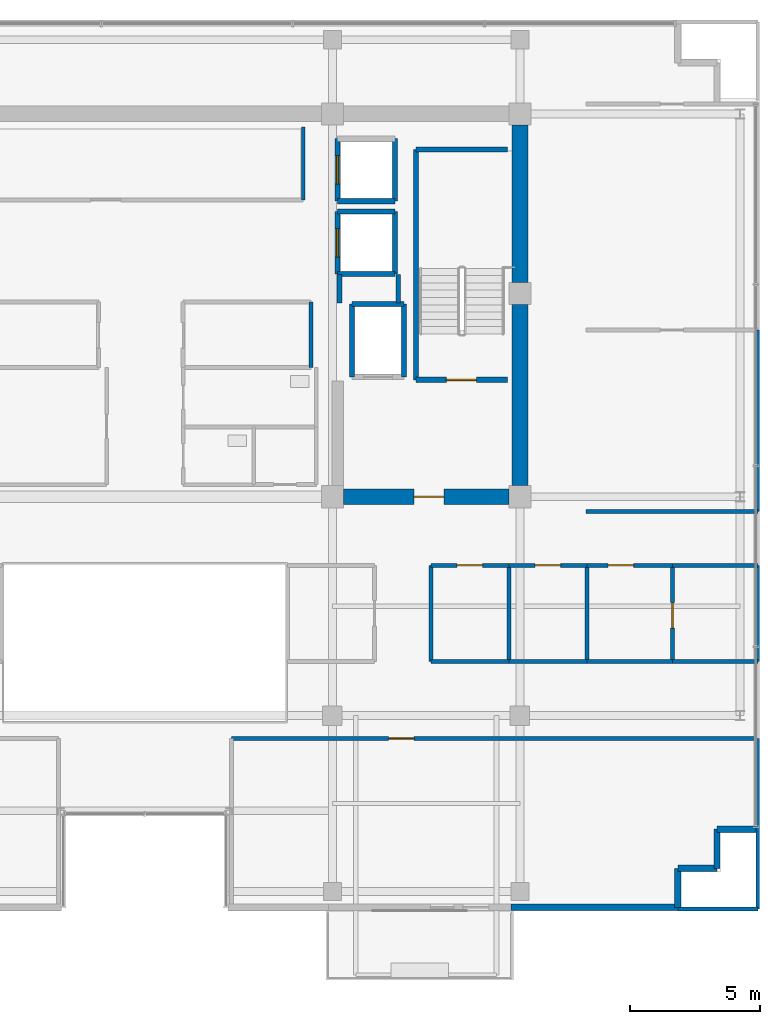
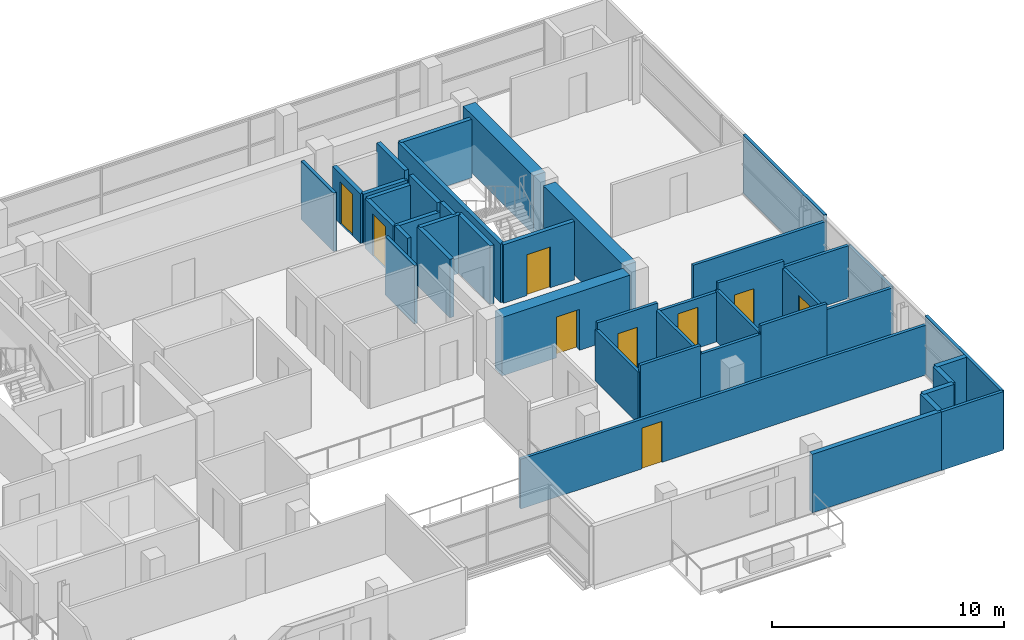
# One storey, part 17 of 21: 43 walls, 9 doors, 9 openings.
"""IFC4 building model written with IfcOpenShell, lengths in metres."""

from ifc_helpers import new_model, si_unit, direction, frame, frame_2d, origin, place, context, subcontext, project, spatial, rectangle, extrude, source, transform, mapped, material, layer, layer_set, type_object, element, fill, save


model = new_model("IFC4")

# Units and contexts
model_context = context("Model", 3, precision=1e-05, world=origin(), true_north=direction((0.0, 1.0)))
body_context = subcontext(model_context, "Body", "Model", "MODEL_VIEW")
ifc_project = project(units=[si_unit("LENGTHUNIT", "METRE"), si_unit("AREAUNIT", "SQUARE_METRE"), si_unit("VOLUMEUNIT", "CUBIC_METRE"), si_unit("PLANEANGLEUNIT", "RADIAN"), si_unit("MASSUNIT", "GRAM", prefix="KILO")], contexts=[model_context])

# Site, building, storey
site_placement = place(None, origin())
site = spatial("IfcSite", under=ifc_project, at=site_placement, CompositionType="ELEMENT")
building_placement = place(site_placement, origin())
building = spatial("IfcBuilding", under=site, at=building_placement, Name="Zarnakvel Exchange Tower", CompositionType="ELEMENT")
storey_placement = place(building_placement, frame((0.0, 0.0, 255.10009765625)))
storey = spatial("IfcBuildingStorey", under=building, at=storey_placement, Name="L72", CompositionType="ELEMENT", Elevation=255.10009765625)

# Walls
ifc_material_1 = material(Name="Concrete C50/60", Category="concrete")
ifc_layer_1 = layer(ifc_material_1, 0.60009765625)
ifc_layer_set_1 = layer_set([ifc_layer_1], Name="Concrete C50/60")
wall_type_1 = type_object("IfcWallType", Name="CW-C5", PredefinedType="SHEAR", material=ifc_layer_set_1)
wall_1_placement = place(storey_placement, frame((14.39990234375, -0.77490234375, 0.0), z_axis=(0.0, 0.0, 1.0), x_axis=(0.0, 1.0, 0.0)))
element("IfcWall", 1, at=wall_1_placement, inside=storey, type_object=wall_type_1, Name="L72 Rear Core Shear Wall E1 (CW-C5)", PredefinedType="SHEAR", context=body_context, shape_type="SweptSolid", body=[
    extrude(rectangle(XDim=6.949951171875, YDim=0.60009765625, at=frame_2d((3.47509765625, 0.0))), origin(), (0.0, 0.0, 1.0), 3.074951171875),
])
wall_2_placement = place(storey_placement, frame((14.39990234375, 7.02490234375, 0.0), z_axis=(0.0, 0.0, 1.0), x_axis=(0.0, 1.0, 0.0)))
element("IfcWall", 2, at=wall_2_placement, inside=storey, type_object=wall_type_1, Name="L72 Rear Core Shear Wall E2 (CW-C5)", PredefinedType="SHEAR", context=body_context, shape_type="SweptSolid", body=[
    extrude(rectangle(XDim=6.050048828125, YDim=0.60009765625, at=frame_2d((3.02490234375, 0.0))), origin(), (0.0, 0.0, 1.0), 3.074951171875),
])

# Wall, opening, door
wall_3_placement = place(storey_placement, frame((13.97509765625, -1.199951171875, 0.0), z_axis=(0.0, 0.0, 1.0), x_axis=(-1.0, 0.0, 0.0)))
wall_3 = element("IfcWall", 3, at=wall_3_placement, inside=storey, type_object=wall_type_1, Name="L72 Rear Core Shear Wall SE (CW-C5)", PredefinedType="SHEAR", context=body_context, shape_type="SweptSolid", body=[
    extrude(rectangle(XDim=6.35009765625, YDim=0.60009765625, at=frame_2d((3.175048828125, 0.0))), origin(), (0.0, 0.0, 1.0), 3.074951171875),
])
opening_1_placement = place(wall_3_placement, frame((2.5, 0.0, 0.0)))
opening_1 = element("IfcOpeningElement", 4, at=opening_1_placement, cuts=wall_3, Name="Opening D-L72-04", PredefinedType="OPENING", context=body_context, shape_type="SweptSolid", body=[
    extrude(rectangle(XDim=1.14990234375, YDim=2.14990234375, at=frame_2d((0.574951171875, 1.074951171875))), frame((0.0, 0.31005859375, 0.0), z_axis=(0.0, -1.0, 0.0), x_axis=(1.0, 0.0, 0.0)), (0.0, 0.0, 1.0), 0.6201171875),
])
ifc_material_2 = material(Name="Painted Galvanised Steel S355", Category="steel")
door_type_1 = type_object("IfcDoorType", Name="DT-04", OperationType="NOTDEFINED", PredefinedType="DOOR", material=ifc_material_2)
shared_shape_1 = source(origin(), body_context, "Body", "SweptSolid", [
    extrude(rectangle(XDim=1.14990234375, YDim=2.14990234375, at=frame_2d((0.574951171875, 1.074951171875))), frame((0.0, 0.02490234375, 0.0), z_axis=(0.0, -1.0, 0.0), x_axis=(1.0, 0.0, 0.0)), (0.0, 0.0, 1.0), 0.050048828125),
])
door_1_placement = place(opening_1_placement, origin())
door_1 = element("IfcDoor", 5, at=door_1_placement, inside=storey, type_object=door_type_1, Name="L72 Firefighting Lobby East Door D-L72-04", OperationType="SINGLE_SWING_LEFT", OverallHeight=2.14990234375, OverallWidth=1.14990234375, PredefinedType="DOOR", context=body_context, shape_type="MappedRepresentation", body=[
    mapped(shared_shape_1, transform((0.0, 0.0, 0.0), x_axis=(1.0, 0.0, 0.0), y_axis=(0.0, 1.0, 0.0), z_axis=(0.0, 0.0, 1.0), scale=1.0)),
])
fill(opening_1, door_1)

# Walls
ifc_material_3 = material(Name="Precast concrete C40/50", Category="concrete")
ifc_layer_2 = layer(ifc_material_3, 0.239990234375)
ifc_layer_set_2 = layer_set([ifc_layer_2], Name="Precast concrete C40/50")
wall_type_2 = type_object("IfcWallType", Name="EW-02", PredefinedType="SOLIDWALL", material=ifc_layer_set_2)
for number, where, z_axis, x_axis, name in (
    (6, (21.9599609375, -13.9599609375, 0.0), (0.0, 0.0, 1.0), (1.0, 0.0, 0.0), "L72 Exterior Precast Spandrel Wall EWC-L72-11 (EW-02)"),
    (7, (21.9599609375, -15.4599609375, 0.0), (0.0, 0.0, 1.0), (0.0, 1.0, 0.0), "L72 Exterior Precast Spandrel Wall EWC-L72-12 (EW-02)"),
    (8, (20.4599609375, -15.4599609375, 0.0), (0.0, 0.0, 1.0), (1.0, 0.0, 0.0), "L72 Exterior Precast Spandrel Wall EWC-L72-13 (EW-02)"),
    (9, (20.4599609375, -16.9599609375, 0.0), (0.0, 0.0, 1.0), (0.0, 1.0, 0.0), "L72 Exterior Precast Spandrel Wall EWC-L72-14 (EW-02)"),
):
    element("IfcWall", number, at=place(storey_placement, frame(where, z_axis=z_axis, x_axis=x_axis)), inside=storey, type_object=wall_type_2, Name=name, PredefinedType="SOLIDWALL", context=body_context, shape_type="SweptSolid", body=[
        extrude(rectangle(XDim=1.5, YDim=0.239990234375, at=frame_2d((0.75, 0.0))), origin(), (0.0, 0.0, 1.0), 3.074951171875),
    ])
wall_4_placement = place(storey_placement, frame((14.050048828125, -16.9599609375, 0.0), z_axis=(0.0, 0.0, 1.0), x_axis=(1.0, 0.0, 0.0)))
element("IfcWall", 10, at=wall_4_placement, inside=storey, type_object=wall_type_2, Name="L72 Exterior Precast Spandrel Wall EWC-L72-15 (EW-02)", PredefinedType="SOLIDWALL", context=body_context, shape_type="SweptSolid", body=[
    extrude(rectangle(XDim=6.409912109375, YDim=0.239990234375, at=frame_2d((3.205078125, 0.0))), origin(), (0.0, 0.0, 1.0), 3.074951171875),
])
ifc_material_4 = material(Name="Fire-Rated Gypsum Stud Partition", Category="gypsum")
ifc_layer_3 = layer(ifc_material_4, 0.14990234375)
ifc_layer_set_3 = layer_set([ifc_layer_3], Name="Fire-Rated Gypsum Stud Partition")
wall_type_3 = type_object("IfcWallType", Name="PT-01", PredefinedType="PARTITIONING", material=ifc_layer_set_3)
wall_5_placement = place(storey_placement, frame((6.080078125, 13.0, 0.0), z_axis=(0.0, 0.0, 1.0), x_axis=(0.0, -1.0, 0.0)))
element("IfcWall", 11, at=wall_5_placement, inside=storey, type_object=wall_type_3, Name="L72 Partition Wall PWALL-L72-013 (PT-01)", PredefinedType="PARTITIONING", context=body_context, shape_type="SweptSolid", body=[
    extrude(rectangle(XDim=2.800048828125, YDim=0.14990234375, at=frame_2d((1.39990234375, 0.0))), origin(), (0.0, 0.0, 1.0), 3.074951171875),
])
wall_6_placement = place(storey_placement, frame((6.3798828125, 6.280029296875, 0.0), z_axis=(0.0, 0.0, 1.0), x_axis=(0.0, -1.0, 0.0)))
element("IfcWall", 12, at=wall_6_placement, inside=storey, type_object=wall_type_3, Name="L72 Partition Wall PWALL-L72-021 (PT-01)", PredefinedType="PARTITIONING", context=body_context, shape_type="SweptSolid", body=[
    extrude(rectangle(XDim=2.52001953125, YDim=0.14990234375, at=frame_2d((1.260009765625, 0.0))), origin(), (0.0, 0.0, 1.0), 3.074951171875),
])
wall_7_placement = place(storey_placement, frame((13.9755859375, -7.52001953125, 0.0), z_axis=(0.0, 0.0, 1.0), x_axis=(-1.0, 0.0, 0.0)))
element("IfcWall", 13, at=wall_7_placement, inside=storey, type_object=wall_type_3, Name="L72 Partition Wall PWALL-L72-044 (PT-01)", PredefinedType="PARTITIONING", context=body_context, shape_type="SweptSolid", body=[
    extrude(rectangle(XDim=2.99560546875, YDim=0.14990234375, at=frame_2d((1.497802734375, 0.0))), origin(), (0.0, 0.0, 1.0), 3.074951171875),
])

# Wall, opening, door
wall_8_placement = place(storey_placement, frame((10.97998046875, -3.830078125, 0.0), z_axis=(0.0, 0.0, 1.0), x_axis=(1.0, 0.0, 0.0)))
wall_8 = element("IfcWall", 14, at=wall_8_placement, inside=storey, type_object=wall_type_3, Name="L72 Partition Wall PWALL-L72-045 (PT-01)", PredefinedType="PARTITIONING", context=body_context, shape_type="SweptSolid", body=[
    extrude(rectangle(XDim=2.99560546875, YDim=0.14990234375, at=frame_2d((1.497802734375, 0.0))), origin(), (0.0, 0.0, 1.0), 3.074951171875),
])
opening_2_placement = place(wall_8_placement, frame((1.008056640625, 0.0, 0.0)))
opening_2 = element("IfcOpeningElement", 15, at=opening_2_placement, cuts=wall_8, Name="Opening D-L72-15", PredefinedType="OPENING", context=body_context, shape_type="SweptSolid", body=[
    extrude(rectangle(XDim=0.97998046875, YDim=2.14990234375, at=frame_2d((0.489990234375, 1.074951171875))), frame((0.0, 0.0849609375, 0.0), z_axis=(0.0, -1.0, 0.0), x_axis=(1.0, 0.0, 0.0)), (0.0, 0.0, 1.0), 0.169921875),
])
ifc_material_5 = material(Name="Timber Acoustic Veneer", Category="wood")
door_type_2 = type_object("IfcDoorType", Name="DT-05", OperationType="NOTDEFINED", PredefinedType="DOOR", material=ifc_material_5)
shared_shape_2 = source(origin(), body_context, "Body", "SweptSolid", [
    extrude(rectangle(XDim=0.97998046875, YDim=2.14990234375, at=frame_2d((0.489990234375, 1.074951171875))), frame((0.0, 0.02490234375, 0.0), z_axis=(0.0, -1.0, 0.0), x_axis=(1.0, 0.0, 0.0)), (0.0, 0.0, 1.0), 0.050048828125),
])
door_2_placement = place(opening_2_placement, origin())
door_2 = element("IfcDoor", 16, at=door_2_placement, inside=storey, type_object=door_type_2, Name="L72 Boardroom Door D-L72-15", OperationType="SINGLE_SWING_RIGHT", OverallHeight=2.14990234375, OverallWidth=0.97998046875, PredefinedType="DOOR", context=body_context, shape_type="MappedRepresentation", body=[
    mapped(shared_shape_2, transform((0.0, 0.0, 0.0), x_axis=(1.0, 0.0, 0.0), y_axis=(0.0, 1.0, 0.0), z_axis=(0.0, 0.0, 1.0), scale=1.0)),
])
fill(opening_2, door_2)

# Walls
for number, where, z_axis, x_axis, name in (
    (17, (10.97998046875, -7.52001953125, 0.0), (0.0, 0.0, 1.0), (0.0, 1.0, 0.0), "L72 Partition Wall PWALL-L72-046 (PT-01)"),
    (18, (13.9755859375, -3.830078125, 0.0), (0.0, 0.0, 1.0), (0.0, -1.0, 0.0), "L72 Partition Wall PWALL-L72-047 (PT-01)"),
):
    element("IfcWall", number, at=place(storey_placement, frame(where, z_axis=z_axis, x_axis=x_axis)), inside=storey, type_object=wall_type_3, Name=name, PredefinedType="PARTITIONING", context=body_context, shape_type="SweptSolid", body=[
        extrude(rectangle(XDim=3.68994140625, YDim=0.14990234375, at=frame_2d((1.844970703125, 0.0))), origin(), (0.0, 0.0, 1.0), 2.704833984375),
    ])
wall_9_placement = place(storey_placement, frame((16.971435546875, -7.52001953125, 0.0), z_axis=(0.0, 0.0, 1.0), x_axis=(-1.0, 0.0, 0.0)))
element("IfcWall", 19, at=wall_9_placement, inside=storey, type_object=wall_type_3, Name="L72 Partition Wall PWALL-L72-048 (PT-01)", PredefinedType="PARTITIONING", context=body_context, shape_type="SweptSolid", body=[
    extrude(rectangle(XDim=2.995849609375, YDim=0.14990234375, at=frame_2d((1.498046875, 0.0))), origin(), (0.0, 0.0, 1.0), 2.614990234375),
])

# Wall, opening, door
wall_10_placement = place(storey_placement, frame((13.9755859375, -3.830078125, 0.0), z_axis=(0.0, 0.0, 1.0), x_axis=(1.0, 0.0, 0.0)))
wall_10 = element("IfcWall", 20, at=wall_10_placement, inside=storey, type_object=wall_type_3, Name="L72 Partition Wall PWALL-L72-049 (PT-01)", PredefinedType="PARTITIONING", context=body_context, shape_type="SweptSolid", body=[
    extrude(rectangle(XDim=2.995849609375, YDim=0.14990234375, at=frame_2d((1.498046875, 0.0))), origin(), (0.0, 0.0, 1.0), 2.614990234375),
])
opening_3_placement = place(wall_10_placement, frame((1.00830078125, 0.0, 0.0)))
opening_3 = element("IfcOpeningElement", 21, at=opening_3_placement, cuts=wall_10, Name="Opening D-L72-16", PredefinedType="OPENING", context=body_context, shape_type="SweptSolid", body=[
    extrude(rectangle(XDim=0.97998046875, YDim=2.14990234375, at=frame_2d((0.489990234375, 1.074951171875))), frame((0.0, 0.0849609375, 0.0), z_axis=(0.0, -1.0, 0.0), x_axis=(1.0, 0.0, 0.0)), (0.0, 0.0, 1.0), 0.169921875),
])
door_3_placement = place(opening_3_placement, origin())
door_3 = element("IfcDoor", 22, at=door_3_placement, inside=storey, type_object=door_type_2, Name="L72 Conference Room Door D-L72-16", OperationType="SINGLE_SWING_LEFT", OverallHeight=2.14990234375, OverallWidth=0.97998046875, PredefinedType="DOOR", context=body_context, shape_type="MappedRepresentation", body=[
    mapped(shared_shape_2, transform((0.0, 0.0, 0.0), x_axis=(1.0, 0.0, 0.0), y_axis=(0.0, 1.0, 0.0), z_axis=(0.0, 0.0, 1.0), scale=1.0)),
])
fill(opening_3, door_3)

# Walls
wall_11_placement = place(storey_placement, frame((16.971435546875, -3.830078125, 0.0), z_axis=(0.0, 0.0, 1.0), x_axis=(0.0, -1.0, 0.0)))
element("IfcWall", 23, at=wall_11_placement, inside=storey, type_object=wall_type_3, Name="L72 Partition Wall PWALL-L72-050 (PT-01)", PredefinedType="PARTITIONING", context=body_context, shape_type="SweptSolid", body=[
    extrude(rectangle(XDim=3.68994140625, YDim=0.14990234375, at=frame_2d((1.844970703125, 0.0))), origin(), (0.0, 0.0, 1.0), 2.704833984375),
])
wall_12_placement = place(storey_placement, frame((20.250732421875, -7.52001953125, 0.0), z_axis=(0.0, 0.0, 1.0), x_axis=(-1.0, 0.0, 0.0)))
element("IfcWall", 24, at=wall_12_placement, inside=storey, type_object=wall_type_3, Name="L72 Partition Wall PWALL-L72-051 (PT-01)", PredefinedType="PARTITIONING", context=body_context, shape_type="SweptSolid", body=[
    extrude(rectangle(XDim=3.279296875, YDim=0.14990234375, at=frame_2d((1.6396484375, 0.0))), origin(), (0.0, 0.0, 1.0), 3.074951171875),
])

# Wall, opening, door
wall_13_placement = place(storey_placement, frame((16.971435546875, -3.830078125, 0.0), z_axis=(0.0, 0.0, 1.0), x_axis=(1.0, 0.0, 0.0)))
wall_13 = element("IfcWall", 25, at=wall_13_placement, inside=storey, type_object=wall_type_3, Name="L72 Partition Wall PWALL-L72-052 (PT-01)", PredefinedType="PARTITIONING", context=body_context, shape_type="SweptSolid", body=[
    extrude(rectangle(XDim=3.279296875, YDim=0.14990234375, at=frame_2d((1.6396484375, 0.0))), origin(), (0.0, 0.0, 1.0), 3.074951171875),
])
opening_4_placement = place(wall_13_placement, frame((0.814697265625, 0.0, 0.0)))
opening_4 = element("IfcOpeningElement", 26, at=opening_4_placement, cuts=wall_13, Name="Opening D-L72-17", PredefinedType="OPENING", context=body_context, shape_type="SweptSolid", body=[
    extrude(rectangle(XDim=0.97998046875, YDim=2.14990234375, at=frame_2d((0.489990234375, 1.074951171875))), frame((0.0, 0.0849609375, 0.0), z_axis=(0.0, -1.0, 0.0), x_axis=(1.0, 0.0, 0.0)), (0.0, 0.0, 1.0), 0.169921875),
])
door_4_placement = place(opening_4_placement, origin())
door_4 = element("IfcDoor", 27, at=door_4_placement, inside=storey, type_object=door_type_2, Name="L72 Executive Pantry Door D-L72-17", OperationType="SINGLE_SWING_RIGHT", OverallHeight=2.14990234375, OverallWidth=0.97998046875, PredefinedType="DOOR", context=body_context, shape_type="MappedRepresentation", body=[
    mapped(shared_shape_2, transform((0.0, 0.0, 0.0), x_axis=(1.0, 0.0, 0.0), y_axis=(0.0, 1.0, 0.0), z_axis=(0.0, 0.0, 1.0), scale=1.0)),
])
fill(opening_4, door_4)

wall_14_placement = place(storey_placement, frame((20.250732421875, -3.830078125, 0.0), z_axis=(0.0, 0.0, 1.0), x_axis=(0.0, -1.0, 0.0)))
wall_14 = element("IfcWall", 28, at=wall_14_placement, inside=storey, type_object=wall_type_3, Name="L72 Partition Wall PWALL-L72-053 (PT-01)", PredefinedType="PARTITIONING", context=body_context, shape_type="SweptSolid", body=[
    extrude(rectangle(XDim=3.68994140625, YDim=0.14990234375, at=frame_2d((1.844970703125, 0.0))), origin(), (0.0, 0.0, 1.0), 2.704833984375),
])
opening_5_placement = place(wall_14_placement, frame((1.43505859375, 0.0, 0.0)))
opening_5 = element("IfcOpeningElement", 29, at=opening_5_placement, cuts=wall_14, Name="Opening D-L72-18", PredefinedType="OPENING", context=body_context, shape_type="SweptSolid", body=[
    extrude(rectangle(XDim=0.97998046875, YDim=2.14990234375, at=frame_2d((0.489990234375, 1.074951171875))), frame((0.0, 0.0849609375, 0.0), z_axis=(0.0, -1.0, 0.0), x_axis=(1.0, 0.0, 0.0)), (0.0, 0.0, 1.0), 0.169921875),
])
door_5_placement = place(opening_5_placement, origin())
door_5 = element("IfcDoor", 30, at=door_5_placement, inside=storey, type_object=door_type_2, Name="L72 Legal Records Office Door D-L72-18", OperationType="SINGLE_SWING_LEFT", OverallHeight=2.14990234375, OverallWidth=0.97998046875, PredefinedType="DOOR", context=body_context, shape_type="MappedRepresentation", body=[
    mapped(shared_shape_2, transform((0.0, 0.0, 0.0), x_axis=(1.0, 0.0, 0.0), y_axis=(0.0, 1.0, 0.0), z_axis=(0.0, 0.0, 1.0), scale=1.0)),
])
fill(opening_5, door_5)

# Walls
for number, where, z_axis, x_axis, name in (
    (31, (23.530029296875, -7.52001953125, 0.0), (0.0, 0.0, 1.0), (-1.0, 0.0, 0.0), "L72 Partition Wall PWALL-L72-054 (PT-01)"),
    (32, (20.250732421875, -3.830078125, 0.0), (0.0, 0.0, 1.0), (1.0, 0.0, 0.0), "L72 Partition Wall PWALL-L72-055 (PT-01)"),
):
    element("IfcWall", number, at=place(storey_placement, frame(where, z_axis=z_axis, x_axis=x_axis)), inside=storey, type_object=wall_type_3, Name=name, PredefinedType="PARTITIONING", context=body_context, shape_type="SweptSolid", body=[
        extrude(rectangle(XDim=3.279296875, YDim=0.14990234375, at=frame_2d((1.6396484375, 0.0))), origin(), (0.0, 0.0, 1.0), 2.764892578125),
    ])
wall_15_placement = place(storey_placement, frame((23.530029296875, -3.830078125, 0.0), z_axis=(0.0, 0.0, 1.0), x_axis=(0.0, -1.0, 0.0)))
element("IfcWall", 33, at=wall_15_placement, inside=storey, type_object=wall_type_3, Name="L72 Partition Wall PWALL-L72-056 (PT-01)", PredefinedType="PARTITIONING", context=body_context, shape_type="SweptSolid", body=[
    extrude(rectangle(XDim=3.68994140625, YDim=0.14990234375, at=frame_2d((1.844970703125, 0.0))), origin(), (0.0, 0.0, 1.0), 2.764892578125),
])
wall_16_placement = place(storey_placement, frame((23.530029296875, -17.030029296875, 0.0), z_axis=(0.0, 0.0, 1.0), x_axis=(-1.0, 0.0, 0.0)))
element("IfcWall", 34, at=wall_16_placement, inside=storey, type_object=wall_type_3, Name="L72 Partition Wall PWALL-L72-057 (PT-01)", PredefinedType="PARTITIONING", context=body_context, shape_type="SweptSolid", body=[
    extrude(rectangle(XDim=3.070068359375, YDim=0.14990234375, at=frame_2d((1.53515625, 0.0))), origin(), (0.0, 0.0, 1.0), 3.074951171875),
])

# Wall, opening, door
wall_17_placement = place(storey_placement, frame((3.320068359375, -10.47998046875, 0.0), z_axis=(0.0, 0.0, 1.0), x_axis=(1.0, 0.0, 0.0)))
wall_17 = element("IfcWall", 35, at=wall_17_placement, inside=storey, type_object=wall_type_3, Name="L72 Partition Wall PWALL-L72-058 (PT-01)", PredefinedType="PARTITIONING", context=body_context, shape_type="SweptSolid", body=[
    extrude(rectangle(XDim=20.2099609375, YDim=0.14990234375, at=frame_2d((10.10498046875, 0.0))), origin(), (0.0, 0.0, 1.0), 2.614990234375),
])
opening_6_placement = place(wall_17_placement, frame((6.0400390625, 0.0, 0.0)))
opening_6 = element("IfcOpeningElement", 36, at=opening_6_placement, cuts=wall_17, Name="Opening D-L72-19", PredefinedType="OPENING", context=body_context, shape_type="SweptSolid", body=[
    extrude(rectangle(XDim=0.97998046875, YDim=2.14990234375, at=frame_2d((0.489990234375, 1.074951171875))), frame((0.0, 0.0849609375, 0.0), z_axis=(0.0, -1.0, 0.0), x_axis=(1.0, 0.0, 0.0)), (0.0, 0.0, 1.0), 0.169921875),
])
door_6_placement = place(opening_6_placement, origin())
door_6 = element("IfcDoor", 37, at=door_6_placement, inside=storey, type_object=door_type_2, Name="L72 Corporate Advisory Suite Door D-L72-19", OperationType="SINGLE_SWING_RIGHT", OverallHeight=2.14990234375, OverallWidth=0.97998046875, PredefinedType="DOOR", context=body_context, shape_type="MappedRepresentation", body=[
    mapped(shared_shape_2, transform((0.0, 0.0, 0.0), x_axis=(1.0, 0.0, 0.0), y_axis=(0.0, 1.0, 0.0), z_axis=(0.0, 0.0, 1.0), scale=1.0)),
])
fill(opening_6, door_6)

# Walls
wall_18_placement = place(storey_placement, frame((23.530029296875, -10.47998046875, 0.0), z_axis=(0.0, 0.0, 1.0), x_axis=(0.0, -1.0, 0.0)))
element("IfcWall", 38, at=wall_18_placement, inside=storey, type_object=wall_type_3, Name="L72 Partition Wall PWALL-L72-060 (PT-01)", PredefinedType="PARTITIONING", context=body_context, shape_type="SweptSolid", body=[
    extrude(rectangle(XDim=6.550048828125, YDim=0.14990234375, at=frame_2d((3.27490234375, 0.0))), origin(), (0.0, 0.0, 1.0), 3.074951171875),
])
wall_19_placement = place(storey_placement, frame((23.530029296875, -1.77001953125, 0.0), z_axis=(0.0, 0.0, 1.0), x_axis=(-1.0, 0.0, 0.0)))
element("IfcWall", 39, at=wall_19_placement, inside=storey, type_object=wall_type_3, Name="L72 Partition Wall PWALL-L72-071 (PT-01)", PredefinedType="PARTITIONING", context=body_context, shape_type="SweptSolid", body=[
    extrude(rectangle(XDim=6.60009765625, YDim=0.14990234375, at=frame_2d((3.300048828125, 0.0))), origin(), (0.0, 0.0, 1.0), 2.764892578125),
])
wall_20_placement = place(storey_placement, frame((23.530029296875, 5.203369140625, 0.0), z_axis=(0.0, 0.0, 1.0), x_axis=(0.0, -1.0, 0.0)))
element("IfcWall", 40, at=wall_20_placement, inside=storey, type_object=wall_type_3, Name="L72 Partition Wall PWALL-L72-073 (PT-01)", PredefinedType="PARTITIONING", context=body_context, shape_type="SweptSolid", body=[
    extrude(rectangle(XDim=6.973388671875, YDim=0.14990234375, at=frame_2d((3.48681640625, 0.0))), origin(), (0.0, 0.0, 1.0), 3.074951171875),
])
ifc_layer_4 = layer(ifc_material_4, 0.179931640625)
ifc_layer_set_4 = layer_set([ifc_layer_4], Name="Fire-Rated Gypsum Stud Partition")
wall_type_4 = type_object("IfcWallType", Name="PT-02", PredefinedType="PARTITIONING", material=ifc_layer_set_4)
wall_21_placement = place(storey_placement, frame((7.469970703125, 6.239990234375, 0.0), z_axis=(0.0, 0.0, 1.0), x_axis=(0.0, 1.0, 0.0)))
element("IfcWall", 41, at=wall_21_placement, inside=storey, type_object=wall_type_4, Name="L72 Partition Wall PWALL-L72-009 (PT-02)", PredefinedType="PARTITIONING", context=body_context, shape_type="SweptSolid", body=[
    extrude(rectangle(XDim=1.090087890625, YDim=0.179931640625, at=frame_2d((0.544921875, 0.0))), origin(), (0.0, 0.0, 1.0), 2.614990234375),
])
wall_22_placement = place(storey_placement, frame((9.72998046875, 7.330078125, 0.0), z_axis=(0.0, 0.0, 1.0), x_axis=(0.0, -1.0, 0.0)))
element("IfcWall", 42, at=wall_22_placement, inside=storey, type_object=wall_type_4, Name="L72 Partition Wall PWALL-L72-010 (PT-02)", PredefinedType="PARTITIONING", context=body_context, shape_type="SweptSolid", body=[
    extrude(rectangle(XDim=1.090087890625, YDim=0.179931640625, at=frame_2d((0.544921875, 0.0))), origin(), (0.0, 0.0, 1.0), 3.074951171875),
])
ifc_material_6 = material(Name="Concrete C40/50", Category="concrete")
ifc_layer_5 = layer(ifc_material_6, 0.199951171875)
ifc_layer_set_5 = layer_set([ifc_layer_5], Name="Concrete C40/50")
wall_type_5 = type_object("IfcWallType", Name="SW-01", PredefinedType="SOLIDWALL", material=ifc_layer_set_5)
wall_23_placement = place(storey_placement, frame((7.949951171875, 6.199951171875, 0.0), z_axis=(0.0, 0.0, 1.0), x_axis=(1.0, 0.0, 0.0)))
element("IfcWall", 43, at=wall_23_placement, inside=storey, type_object=wall_type_5, Name="L72 FL-02 Hoistway Wall North", PredefinedType="SOLIDWALL", context=body_context, shape_type="SweptSolid", body=[
    extrude(rectangle(XDim=2.0, YDim=0.199951171875, at=frame_2d((1.0, 0.0))), origin(), (0.0, 0.0, 1.0), 3.074951171875),
])
for number, where, z_axis, x_axis, name in (
    (44, (7.949951171875, 3.39990234375, 0.0), (0.0, 0.0, 1.0), (0.0, 1.0, 0.0), "L72 FL-02 Hoistway Wall West"),
    (45, (9.949951171875, 6.199951171875, 0.0), (0.0, 0.0, 1.0), (0.0, -1.0, 0.0), "L72 FL-02 Hoistway Wall East"),
):
    element("IfcWall", number, at=place(storey_placement, frame(where, z_axis=z_axis, x_axis=x_axis)), inside=storey, type_object=wall_type_5, Name=name, PredefinedType="SOLIDWALL", context=body_context, shape_type="SweptSolid", body=[
        extrude(rectangle(XDim=2.800048828125, YDim=0.199951171875, at=frame_2d((1.39990234375, 0.0))), origin(), (0.0, 0.0, 1.0), 3.074951171875),
    ])
for number, where, z_axis, x_axis, name in (
    (46, (9.60009765625, 7.35009765625, 0.0), (0.0, 0.0, 1.0), (-1.0, 0.0, 0.0), "L72 PL-11 Hoistway Wall South"),
    (47, (7.39990234375, 9.75, 0.0), (0.0, 0.0, 1.0), (1.0, 0.0, 0.0), "L72 PL-11 Hoistway Wall North"),
):
    element("IfcWall", number, at=place(storey_placement, frame(where, z_axis=z_axis, x_axis=x_axis)), inside=storey, type_object=wall_type_5, Name=name, PredefinedType="SOLIDWALL", context=body_context, shape_type="SweptSolid", body=[
        extrude(rectangle(XDim=2.2001953125, YDim=0.199951171875, at=frame_2d((1.10009765625, 0.0))), origin(), (0.0, 0.0, 1.0), 2.614990234375),
    ])

# Wall, opening, door
wall_24_placement = place(storey_placement, frame((7.39990234375, 7.35009765625, 0.0), z_axis=(0.0, 0.0, 1.0), x_axis=(0.0, 1.0, 0.0)))
wall_24 = element("IfcWall", 48, at=wall_24_placement, inside=storey, type_object=wall_type_5, Name="L72 PL-11 Hoistway Wall West", PredefinedType="SOLIDWALL", context=body_context, shape_type="SweptSolid", body=[
    extrude(rectangle(XDim=2.39990234375, YDim=0.199951171875, at=frame_2d((1.199951171875, 0.0))), origin(), (0.0, 0.0, 1.0), 2.614990234375),
])
opening_7_placement = place(wall_24_placement, frame((0.64990234375, 0.0, 0.0)))
opening_7 = element("IfcOpeningElement", 49, at=opening_7_placement, cuts=wall_24, Name="Opening LD-PL-11-L72", PredefinedType="OPENING", context=body_context, shape_type="SweptSolid", body=[
    extrude(rectangle(XDim=1.10009765625, YDim=2.199951171875, at=frame_2d((0.550048828125, 1.10009765625))), frame((0.0, 0.10986328125, 0.0), z_axis=(0.0, -1.0, 0.0), x_axis=(1.0, 0.0, 0.0)), (0.0, 0.0, 1.0), 0.219970703125),
])
ifc_material_7 = material(Name="Architectural Bronze Anodised Aluminium", Category="aluminium")
door_type_3 = type_object("IfcDoorType", Name="LDT-02", OperationType="NOTDEFINED", PredefinedType="DOOR", material=ifc_material_7)
shared_shape_3 = source(origin(), body_context, "Body", "SweptSolid", [
    extrude(rectangle(XDim=1.10009765625, YDim=2.199951171875, at=frame_2d((0.550048828125, 1.10009765625))), frame((0.0, 0.02490234375, 0.0), z_axis=(0.0, -1.0, 0.0), x_axis=(1.0, 0.0, 0.0)), (0.0, 0.0, 1.0), 0.050048828125),
])
door_7_placement = place(opening_7_placement, origin())
door_7 = element("IfcDoor", 50, at=door_7_placement, inside=storey, type_object=door_type_3, Name="L72 PL-11 Lift Landing Door LD-PL-11-L72", OperationType="DOUBLE_DOOR_SLIDING", OverallHeight=2.199951171875, OverallWidth=1.10009765625, PredefinedType="DOOR", context=body_context, shape_type="MappedRepresentation", body=[
    mapped(shared_shape_3, transform((0.0, 0.0, 0.0), x_axis=(1.0, 0.0, 0.0), y_axis=(0.0, 1.0, 0.0), z_axis=(0.0, 0.0, 1.0), scale=1.0)),
])
fill(opening_7, door_7)

# Walls
wall_25_placement = place(storey_placement, frame((9.60009765625, 9.75, 0.0), z_axis=(0.0, 0.0, 1.0), x_axis=(0.0, -1.0, 0.0)))
element("IfcWall", 51, at=wall_25_placement, inside=storey, type_object=wall_type_5, Name="L72 PL-11 Hoistway Wall East", PredefinedType="SOLIDWALL", context=body_context, shape_type="SweptSolid", body=[
    extrude(rectangle(XDim=2.39990234375, YDim=0.199951171875, at=frame_2d((1.199951171875, 0.0))), origin(), (0.0, 0.0, 1.0), 3.074951171875),
])
wall_26_placement = place(storey_placement, frame((9.60009765625, 10.14990234375, 0.0), z_axis=(0.0, 0.0, 1.0), x_axis=(-1.0, 0.0, 0.0)))
element("IfcWall", 52, at=wall_26_placement, inside=storey, type_object=wall_type_5, Name="L72 PL-12 Hoistway Wall South", PredefinedType="SOLIDWALL", context=body_context, shape_type="SweptSolid", body=[
    extrude(rectangle(XDim=2.2001953125, YDim=0.199951171875, at=frame_2d((1.10009765625, 0.0))), origin(), (0.0, 0.0, 1.0), 2.614990234375),
])

# Wall, opening, door
wall_27_placement = place(storey_placement, frame((7.39990234375, 10.14990234375, 0.0), z_axis=(0.0, 0.0, 1.0), x_axis=(0.0, 1.0, 0.0)))
wall_27 = element("IfcWall", 53, at=wall_27_placement, inside=storey, type_object=wall_type_5, Name="L72 PL-12 Hoistway Wall West", PredefinedType="SOLIDWALL", context=body_context, shape_type="SweptSolid", body=[
    extrude(rectangle(XDim=2.400146484375, YDim=0.199951171875, at=frame_2d((1.2001953125, 0.0))), origin(), (0.0, 0.0, 1.0), 2.614990234375),
])
opening_8_placement = place(wall_27_placement, frame((0.64990234375, 0.0, 0.0)))
opening_8 = element("IfcOpeningElement", 54, at=opening_8_placement, cuts=wall_27, Name="Opening LD-PL-12-L72", PredefinedType="OPENING", context=body_context, shape_type="SweptSolid", body=[
    extrude(rectangle(XDim=1.10009765625, YDim=2.199951171875, at=frame_2d((0.550048828125, 1.10009765625))), frame((0.0, 0.10986328125, 0.0), z_axis=(0.0, -1.0, 0.0), x_axis=(1.0, 0.0, 0.0)), (0.0, 0.0, 1.0), 0.219970703125),
])
door_8_placement = place(opening_8_placement, origin())
door_8 = element("IfcDoor", 55, at=door_8_placement, inside=storey, type_object=door_type_3, Name="L72 PL-12 Lift Landing Door LD-PL-12-L72", OperationType="DOUBLE_DOOR_SLIDING", OverallHeight=2.199951171875, OverallWidth=1.10009765625, PredefinedType="DOOR", context=body_context, shape_type="MappedRepresentation", body=[
    mapped(shared_shape_3, transform((0.0, 0.0, 0.0), x_axis=(1.0, 0.0, 0.0), y_axis=(0.0, 1.0, 0.0), z_axis=(0.0, 0.0, 1.0), scale=1.0)),
])
fill(opening_8, door_8)

# Wall
wall_28_placement = place(storey_placement, frame((9.60009765625, 12.550048828125, 0.0), z_axis=(0.0, 0.0, 1.0), x_axis=(0.0, -1.0, 0.0)))
element("IfcWall", 56, at=wall_28_placement, inside=storey, type_object=wall_type_5, Name="L72 PL-12 Hoistway Wall East", PredefinedType="SOLIDWALL", context=body_context, shape_type="SweptSolid", body=[
    extrude(rectangle(XDim=2.400146484375, YDim=0.199951171875, at=frame_2d((1.2001953125, 0.0))), origin(), (0.0, 0.0, 1.0), 3.074951171875),
])

# Wall, opening, door
ifc_layer_6 = layer(ifc_material_6, 0.199951171875)
ifc_layer_set_6 = layer_set([ifc_layer_6], Name="Concrete C40/50")
wall_type_6 = type_object("IfcWallType", Name="SW-02", PredefinedType="SOLIDWALL", material=ifc_layer_set_6)
wall_29_placement = place(storey_placement, frame((13.929931640625, 3.2900390625, 0.0), z_axis=(0.0, 0.0, 1.0), x_axis=(-1.0, 0.0, 0.0)))
wall_29 = element("IfcWall", 57, at=wall_29_placement, inside=storey, type_object=wall_type_6, Name="L72 Stairwell Core Wall PWALL-L72-004 (SW-02)", PredefinedType="SOLIDWALL", context=body_context, shape_type="SweptSolid", body=[
    extrude(rectangle(XDim=3.52001953125, YDim=0.199951171875, at=frame_2d((1.760009765625, 0.0))), origin(), (0.0, 0.0, 1.0), 3.074951171875),
])
opening_9_placement = place(wall_29_placement, frame((1.205078125, 0.0, 0.0)))
opening_9 = element("IfcOpeningElement", 58, at=opening_9_placement, cuts=wall_29, Name="Opening D-L72-02", PredefinedType="OPENING", context=body_context, shape_type="SweptSolid", body=[
    extrude(rectangle(XDim=1.14990234375, YDim=2.14990234375, at=frame_2d((0.574951171875, 1.074951171875))), frame((0.0, 0.10986328125, 0.0), z_axis=(0.0, -1.0, 0.0), x_axis=(1.0, 0.0, 0.0)), (0.0, 0.0, 1.0), 0.219970703125),
])
door_9_placement = place(opening_9_placement, origin())
door_9 = element("IfcDoor", 59, at=door_9_placement, inside=storey, type_object=door_type_1, Name="L72 Stairwell ST-02 Door D-L72-02", OperationType="SINGLE_SWING_LEFT", OverallHeight=2.14990234375, OverallWidth=1.14990234375, PredefinedType="DOOR", context=body_context, shape_type="MappedRepresentation", body=[
    mapped(shared_shape_1, transform((0.0, 0.0, 0.0), x_axis=(1.0, 0.0, 0.0), y_axis=(0.0, 1.0, 0.0), z_axis=(0.0, 0.0, 1.0), scale=1.0)),
])
fill(opening_9, door_9)

# Walls
wall_30_placement = place(storey_placement, frame((10.409912109375, 12.1298828125, 0.0), z_axis=(0.0, 0.0, 1.0), x_axis=(1.0, 0.0, 0.0)))
element("IfcWall", 60, at=wall_30_placement, inside=storey, type_object=wall_type_6, Name="L72 Stairwell Core Wall PWALL-L72-005 (SW-02)", PredefinedType="SOLIDWALL", context=body_context, shape_type="SweptSolid", body=[
    extrude(rectangle(XDim=3.52001953125, YDim=0.199951171875, at=frame_2d((1.760009765625, 0.0))), origin(), (0.0, 0.0, 1.0), 3.074951171875),
])
wall_31_placement = place(storey_placement, frame((10.409912109375, 3.2900390625, 0.0), z_axis=(0.0, 0.0, 1.0), x_axis=(0.0, 1.0, 0.0)))
element("IfcWall", 61, at=wall_31_placement, inside=storey, type_object=wall_type_6, Name="L72 Stairwell Core Wall PWALL-L72-006 (SW-02)", PredefinedType="SOLIDWALL", context=body_context, shape_type="SweptSolid", body=[
    extrude(rectangle(XDim=8.83984375, YDim=0.199951171875, at=frame_2d((4.419921875, 0.0))), origin(), (0.0, 0.0, 1.0), 3.074951171875),
])

save(model, "model.ifc")
